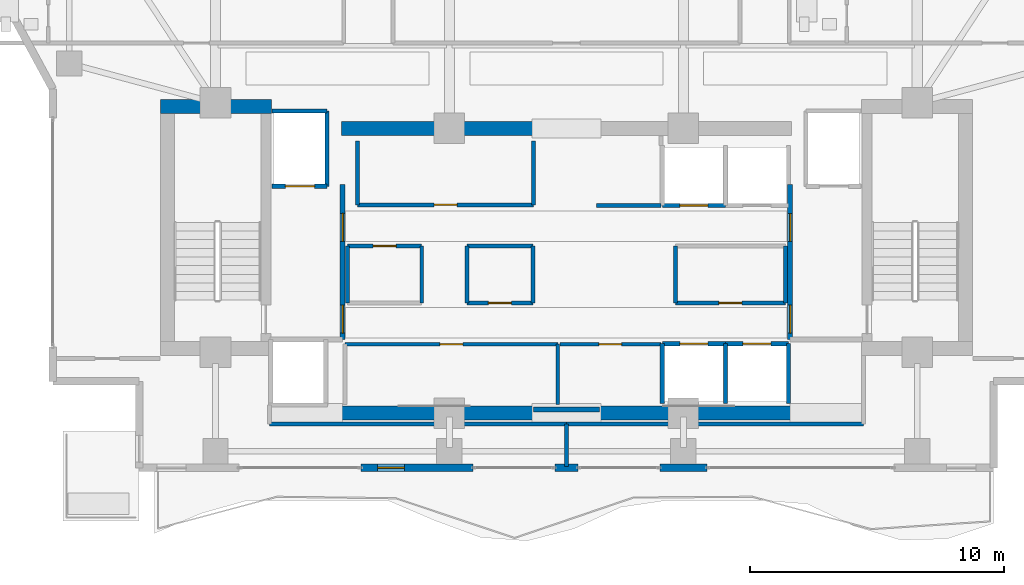
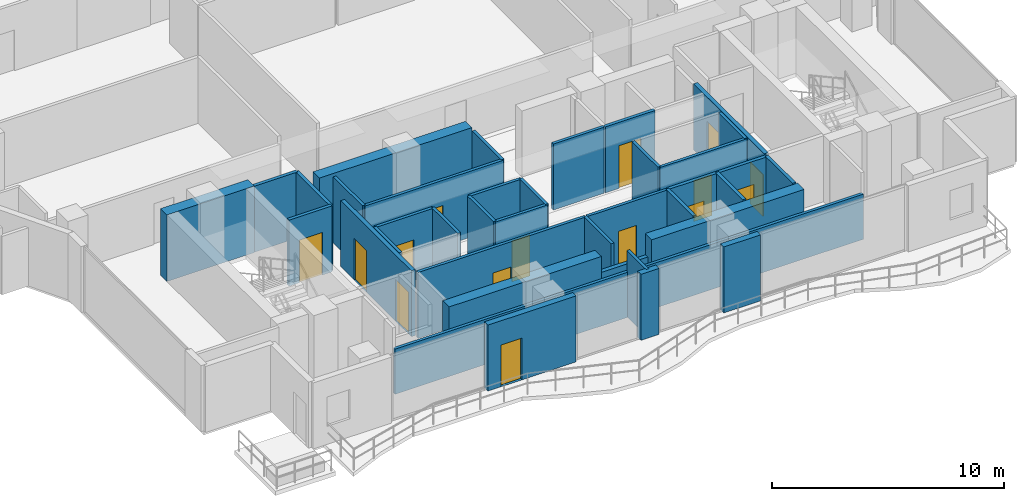
# One storey, part 18 of 25: 39 walls, 15 doors, 15 openings.
"""IFC4 building model written with IfcOpenShell, lengths in metres."""

from ifc_helpers import new_model, si_unit, direction, frame, frame_2d, origin, place, context, subcontext, project, spatial, rectangle, extrude, material, layer, layer_set, type_object, element, fill, save


model = new_model("IFC4")

# Units and contexts
model_context = context("Model", 3, precision=1e-05, world=origin(), true_north=direction((0.0, 1.0)))
body_context = subcontext(model_context, "Body", "Model", "MODEL_VIEW")
ifc_project = project(units=[si_unit("LENGTHUNIT", "METRE"), si_unit("AREAUNIT", "SQUARE_METRE"), si_unit("VOLUMEUNIT", "CUBIC_METRE"), si_unit("PLANEANGLEUNIT", "RADIAN"), si_unit("MASSUNIT", "GRAM", prefix="KILO")], contexts=[model_context])

# Site, building, storey
site_placement = place(None, origin())
site = spatial("IfcSite", under=ifc_project, at=site_placement, CompositionType="ELEMENT")
building_placement = place(site_placement, origin())
building = spatial("IfcBuilding", under=site, at=building_placement, Name="Zuhayl Quay Hotel", CompositionType="ELEMENT")
storey_placement = place(building_placement, frame((0.0, 0.0, 243.35009765625)))
storey = spatial("IfcBuildingStorey", under=building, at=storey_placement, Name="L61", CompositionType="ELEMENT", Elevation=243.35009765625)

# Walls
ifc_material_1 = material(Name="Concrete C50/60", Category="concrete")
ifc_layer_1 = layer(ifc_material_1, 0.550048828125, Name="Concrete C50/60", Category="concrete")
ifc_layer_set_1 = layer_set([ifc_layer_1], Name="Concrete C50/60")
wall_type_1 = type_object("IfcWallType", Name="WL_CORE_550", PredefinedType="SHEAR", material=ifc_layer_set_1)
wall_1_placement = place(storey_placement, frame((-15.9599609375, 14.205078125, 0.0), z_axis=(0.0, 0.0, 1.0), x_axis=(1.0, 0.0, 0.0)))
element("IfcWall", 1, at=wall_1_placement, inside=storey, type_object=wall_type_1, Name="L61 Core Shear Wall CW_NW", PredefinedType="SHEAR", context=body_context, shape_type="SweptSolid", body=[
    extrude(rectangle(XDim=4.35986328125, YDim=0.550048828125, at=frame_2d((2.179931640625, 0.0))), origin(), (0.0, 0.0, 1.0), 3.510009765625),
])
for number, where, z_axis, x_axis, name in (
    (2, (-8.85009765625, 2.14990234375, 0.0), (0.0, 0.0, 1.0), (1.0, 0.0, 0.0), "L61 Core Shear Wall CW_SC_W"),
    (3, (1.25, 2.14990234375, 0.0), (0.0, 0.0, 1.0), (1.0, 0.0, 0.0), "L61 Core Shear Wall CW_SC_E"),
    (4, (-8.85009765625, 13.35009765625, 0.0), (0.0, 0.0, 1.0), (1.0, 0.0, 0.0), "L61 Core Shear Wall CW_NC_W"),
):
    element("IfcWall", number, at=place(storey_placement, frame(where, z_axis=z_axis, x_axis=x_axis)), inside=storey, type_object=wall_type_1, Name=name, PredefinedType="SHEAR", context=body_context, shape_type="SweptSolid", body=[
        extrude(rectangle(XDim=7.60009765625, YDim=0.550048828125, at=frame_2d((3.800048828125, 0.0))), origin(), (0.0, 0.0, 1.0), 3.47998046875),
    ])
ifc_material_2 = material(Name="Precast concrete C45/55", Category="concrete")
ifc_layer_2 = layer(ifc_material_2, 0.300048828125, Name="Precast concrete C45/55", Category="concrete")
ifc_layer_set_2 = layer_set([ifc_layer_2], Name="Precast concrete C45/55")
wall_type_2 = type_object("IfcWallType", Name="WL_EXT_300", PredefinedType="STANDARD", material=ifc_layer_set_2)
wall_2_placement = place(storey_placement, frame((5.52001953125, 0.0, 0.0), z_axis=(0.0, 0.0, 1.0), x_axis=(-1.0, 0.0, 0.0)))
element("IfcWall", 5, at=wall_2_placement, inside=storey, type_object=wall_type_2, Name="L61 Exterior Precast Wall ENV_L61_S_EW2", PredefinedType="STANDARD", context=body_context, shape_type="SweptSolid", body=[
    extrude(rectangle(XDim=1.840087890625, YDim=0.300048828125, at=frame_2d((0.919921875, 0.0))), origin(), (0.0, 0.0, 1.0), 3.47998046875),
])
wall_3_placement = place(storey_placement, frame((0.449951171875, 0.0, 0.0), z_axis=(0.0, 0.0, 1.0), x_axis=(-1.0, 0.0, 0.0)))
element("IfcWall", 6, at=wall_3_placement, inside=storey, type_object=wall_type_2, Name="L61 Exterior Precast Wall ENV_L61_S_EW3", PredefinedType="STANDARD", context=body_context, shape_type="SweptSolid", body=[
    extrude(rectangle(XDim=0.89990234375, YDim=0.300048828125, at=frame_2d((0.449951171875, 0.0))), origin(), (0.0, 0.0, 1.0), 3.47998046875),
])

# Wall, opening, door
wall_4_placement = place(storey_placement, frame((-3.679931640625, 0.0, 0.0), z_axis=(0.0, 0.0, 1.0), x_axis=(-1.0, 0.0, 0.0)))
wall_4 = element("IfcWall", 7, at=wall_4_placement, inside=storey, type_object=wall_type_2, Name="L61 Exterior Precast Wall ENV_L61_S_EW4", PredefinedType="STANDARD", context=body_context, shape_type="SweptSolid", body=[
    extrude(rectangle(XDim=4.39501953125, YDim=0.300048828125, at=frame_2d((2.197509765625, 0.0))), origin(), (0.0, 0.0, 1.0), 3.47998046875),
])
opening_1_placement = place(wall_4_placement, frame((2.695068359375, 0.0, 0.0)))
opening_1 = element("IfcOpeningElement", 8, at=opening_1_placement, cuts=wall_4, Name="Opening DG1", PredefinedType="OPENING", context=body_context, shape_type="SweptSolid", body=[
    extrude(rectangle(XDim=1.050048828125, YDim=2.199951171875, at=frame_2d((0.52490234375, 1.10009765625))), frame((0.0, 0.159912109375, 0.0), z_axis=(0.0, -1.0, 0.0), x_axis=(1.0, 0.0, 0.0)), (0.0, 0.0, 1.0), 0.320068359375),
])
ifc_material_3 = material(Name="Anodised Aluminium and Dark Solar Glass", Category="aluminium")
door_type_1 = type_object("IfcDoorType", Name="DR_EXT_TERR_1050", OperationType="NOTDEFINED", PredefinedType="DOOR", material=ifc_material_3)
door_1_placement = place(opening_1_placement, origin())
door_1 = element("IfcDoor", 9, at=door_1_placement, inside=storey, type_object=door_type_1, Name="L61 South Rippling Balcony Door", OperationType="SINGLE_SWING_RIGHT", OverallHeight=2.199951171875, OverallWidth=1.050048828125, PredefinedType="DOOR", context=body_context, shape_type="SweptSolid", body=[
    extrude(rectangle(XDim=1.050048828125, YDim=2.199951171875, at=frame_2d((0.52490234375, 1.10009765625))), frame((0.0, 0.02490234375, 0.0), z_axis=(0.0, -1.0, 0.0), x_axis=(1.0, 0.0, 0.0)), (0.0, 0.0, 1.0), 0.050048828125),
])
fill(opening_1, door_1)

ifc_material_4 = material(Name="Acoustic Gypsum Partition STC-58")
ifc_layer_3 = layer(ifc_material_4, 0.14990234375, Name="Acoustic Gypsum Partition STC-58")
ifc_layer_set_3 = layer_set([ifc_layer_3], Name="Acoustic Gypsum Partition STC-58")
wall_type_3 = type_object("IfcWallType", Name="WL_PART_150", PredefinedType="PARTITIONING", material=ifc_layer_set_3)
wall_5_placement = place(storey_placement, frame((-8.7099609375, 4.860107421875, 0.0), z_axis=(0.0, 0.0, 1.0), x_axis=(1.0, 0.0, 0.0)))
wall_5 = element("IfcWall", 10, at=wall_5_placement, inside=storey, type_object=wall_type_3, Name="L61 Partition IW_L61_FMP_SW_N", PredefinedType="PARTITIONING", context=body_context, shape_type="SweptSolid", body=[
    extrude(rectangle(XDim=8.369873046875, YDim=0.14990234375, at=frame_2d((4.18505859375, 0.0))), origin(), (0.0, 0.0, 1.0), 3.47998046875),
])
opening_2_placement = place(wall_5_placement, frame((3.735107421875, 0.0, 0.0)))
opening_2 = element("IfcOpeningElement", 11, at=opening_2_placement, cuts=wall_5, Name="Opening D06", PredefinedType="OPENING", context=body_context, shape_type="SweptSolid", body=[
    extrude(rectangle(XDim=0.89990234375, YDim=2.14990234375, at=frame_2d((0.449951171875, 1.074951171875))), frame((0.0, 0.0849609375, 0.0), z_axis=(0.0, -1.0, 0.0), x_axis=(1.0, 0.0, 0.0)), (0.0, 0.0, 1.0), 0.169921875),
])
ifc_material_5 = material(Name="Steel ASTM A992 Grade 50", Category="steel")
door_type_2 = type_object("IfcDoorType", Name="DR_INT_900", OperationType="NOTDEFINED", PredefinedType="DOOR", material=ifc_material_5)
door_2_placement = place(opening_2_placement, origin())
door_2 = element("IfcDoor", 12, at=door_2_placement, inside=storey, type_object=door_type_2, Name="L61 Royal Butler Servery Door", OperationType="SINGLE_SWING_RIGHT", OverallHeight=2.14990234375, OverallWidth=0.89990234375, PredefinedType="DOOR", context=body_context, shape_type="SweptSolid", body=[
    extrude(rectangle(XDim=0.89990234375, YDim=2.14990234375, at=frame_2d((0.449951171875, 1.074951171875))), frame((0.0, 0.02490234375, 0.0), z_axis=(0.0, -1.0, 0.0), x_axis=(1.0, 0.0, 0.0)), (0.0, 0.0, 1.0), 0.050048828125),
])
fill(opening_2, door_2)

wall_6_placement = place(storey_placement, frame((-0.260009765625, 4.860107421875, 0.0), z_axis=(0.0, 0.0, 1.0), x_axis=(1.0, 0.0, 0.0)))
wall_6 = element("IfcWall", 13, at=wall_6_placement, inside=storey, type_object=wall_type_3, Name="L61 Partition IW_L61_FMP_SE_N", PredefinedType="PARTITIONING", context=body_context, shape_type="SweptSolid", body=[
    extrude(rectangle(XDim=3.969970703125, YDim=0.14990234375, at=frame_2d((1.98486328125, 0.0))), origin(), (0.0, 0.0, 1.0), 3.47998046875),
])
opening_3_placement = place(wall_6_placement, frame((1.534912109375, 0.0, 0.0)))
opening_3 = element("IfcOpeningElement", 14, at=opening_3_placement, cuts=wall_6, Name="Opening D06", PredefinedType="OPENING", context=body_context, shape_type="SweptSolid", body=[
    extrude(rectangle(XDim=0.89990234375, YDim=2.14990234375, at=frame_2d((0.449951171875, 1.074951171875))), frame((0.0, 0.0849609375, 0.0), z_axis=(0.0, -1.0, 0.0), x_axis=(1.0, 0.0, 0.0)), (0.0, 0.0, 1.0), 0.169921875),
])
door_3_placement = place(opening_3_placement, origin())
door_3 = element("IfcDoor", 15, at=door_3_placement, inside=storey, type_object=door_type_2, Name="L61 Butler Store East Door", OperationType="SINGLE_SWING_LEFT", OverallHeight=2.14990234375, OverallWidth=0.89990234375, PredefinedType="DOOR", context=body_context, shape_type="SweptSolid", body=[
    extrude(rectangle(XDim=0.89990234375, YDim=2.14990234375, at=frame_2d((0.449951171875, 1.074951171875))), frame((0.0, 0.02490234375, 0.0), z_axis=(0.0, -1.0, 0.0), x_axis=(1.0, 0.0, 0.0)), (0.0, 0.0, 1.0), 0.050048828125),
])
fill(opening_3, door_3)

wall_7_placement = place(storey_placement, frame((-8.2099609375, 10.340087890625, 0.0), z_axis=(0.0, 0.0, 1.0), x_axis=(1.0, 0.0, 0.0)))
wall_7 = element("IfcWall", 16, at=wall_7_placement, inside=storey, type_object=wall_type_3, Name="L61 Partition IW_L61_FMP_NW_S", PredefinedType="PARTITIONING", context=body_context, shape_type="SweptSolid", body=[
    extrude(rectangle(XDim=6.919921875, YDim=0.14990234375, at=frame_2d((3.4599609375, 0.0))), origin(), (0.0, 0.0, 1.0), 3.47998046875),
])
opening_4_placement = place(wall_7_placement, frame((3.010009765625, 0.0, 0.0)))
opening_4 = element("IfcOpeningElement", 17, at=opening_4_placement, cuts=wall_7, Name="Opening D06", PredefinedType="OPENING", context=body_context, shape_type="SweptSolid", body=[
    extrude(rectangle(XDim=0.89990234375, YDim=2.14990234375, at=frame_2d((0.449951171875, 1.074951171875))), frame((0.0, 0.0849609375, 0.0), z_axis=(0.0, -1.0, 0.0), x_axis=(1.0, 0.0, 0.0)), (0.0, 0.0, 1.0), 0.169921875),
])
door_4_placement = place(opening_4_placement, origin())
door_4 = element("IfcDoor", 18, at=door_4_placement, inside=storey, type_object=door_type_2, Name="L61 Valet Locker Store Door", OperationType="SINGLE_SWING_RIGHT", OverallHeight=2.14990234375, OverallWidth=0.89990234375, PredefinedType="DOOR", context=body_context, shape_type="SweptSolid", body=[
    extrude(rectangle(XDim=0.89990234375, YDim=2.14990234375, at=frame_2d((0.449951171875, 1.074951171875))), frame((0.0, 0.02490234375, 0.0), z_axis=(0.0, -1.0, 0.0), x_axis=(1.0, 0.0, 0.0)), (0.0, 0.0, 1.0), 0.050048828125),
])
fill(opening_4, door_4)

wall_8_placement = place(storey_placement, frame((-8.610107421875, 8.719970703125, 0.0), z_axis=(0.0, 0.0, 1.0), x_axis=(1.0, 0.0, 0.0)))
wall_8 = element("IfcWall", 19, at=wall_8_placement, inside=storey, type_object=wall_type_3, Name="L61 Partition IW_L61_CORE_HK_N", PredefinedType="PARTITIONING", context=body_context, shape_type="SweptSolid", body=[
    extrude(rectangle(XDim=2.920166015625, YDim=0.14990234375, at=frame_2d((1.4599609375, 0.0))), origin(), (0.0, 0.0, 1.0), 3.47998046875),
])
opening_5_placement = place(wall_8_placement, frame((1.010009765625, 0.0, 0.0)))
opening_5 = element("IfcOpeningElement", 20, at=opening_5_placement, cuts=wall_8, Name="Opening D06", PredefinedType="OPENING", context=body_context, shape_type="SweptSolid", body=[
    extrude(rectangle(XDim=0.89990234375, YDim=2.14990234375, at=frame_2d((0.449951171875, 1.074951171875))), frame((0.0, 0.0849609375, 0.0), z_axis=(0.0, -1.0, 0.0), x_axis=(1.0, 0.0, 0.0)), (0.0, 0.0, 1.0), 0.169921875),
])
door_5_placement = place(opening_5_placement, origin())
door_5 = element("IfcDoor", 21, at=door_5_placement, inside=storey, type_object=door_type_2, Name="L61 Core Housekeeping Store Door", OperationType="SINGLE_SWING_LEFT", OverallHeight=2.14990234375, OverallWidth=0.89990234375, PredefinedType="DOOR", context=body_context, shape_type="SweptSolid", body=[
    extrude(rectangle(XDim=0.89990234375, YDim=2.14990234375, at=frame_2d((0.449951171875, 1.074951171875))), frame((0.0, 0.02490234375, 0.0), z_axis=(0.0, -1.0, 0.0), x_axis=(1.0, 0.0, 0.0)), (0.0, 0.0, 1.0), 0.050048828125),
])
fill(opening_5, door_5)

wall_9_placement = place(storey_placement, frame((-3.909912109375, 6.47998046875, 0.0), z_axis=(0.0, 0.0, 1.0), x_axis=(1.0, 0.0, 0.0)))
wall_9 = element("IfcWall", 22, at=wall_9_placement, inside=storey, type_object=wall_type_3, Name="L61 Partition IW_L61_CORE_BC_S", PredefinedType="PARTITIONING", context=body_context, shape_type="SweptSolid", body=[
    extrude(rectangle(XDim=2.58984375, YDim=0.14990234375, at=frame_2d((1.294921875, 0.0))), origin(), (0.0, 0.0, 1.0), 3.47998046875),
])
opening_6_placement = place(wall_9_placement, frame((0.844970703125, 0.0, 0.0)))
opening_6 = element("IfcOpeningElement", 23, at=opening_6_placement, cuts=wall_9, Name="Opening D06", PredefinedType="OPENING", context=body_context, shape_type="SweptSolid", body=[
    extrude(rectangle(XDim=0.89990234375, YDim=2.14990234375, at=frame_2d((0.449951171875, 1.074951171875))), frame((0.0, 0.0849609375, 0.0), z_axis=(0.0, -1.0, 0.0), x_axis=(1.0, 0.0, 0.0)), (0.0, 0.0, 1.0), 0.169921875),
])
door_6_placement = place(opening_6_placement, origin())
door_6 = element("IfcDoor", 24, at=door_6_placement, inside=storey, type_object=door_type_2, Name="L61 BMS Control Closet Door", OperationType="SINGLE_SWING_RIGHT", OverallHeight=2.14990234375, OverallWidth=0.89990234375, PredefinedType="DOOR", context=body_context, shape_type="SweptSolid", body=[
    extrude(rectangle(XDim=0.89990234375, YDim=2.14990234375, at=frame_2d((0.449951171875, 1.074951171875))), frame((0.0, 0.02490234375, 0.0), z_axis=(0.0, -1.0, 0.0), x_axis=(1.0, 0.0, 0.0)), (0.0, 0.0, 1.0), 0.050048828125),
])
fill(opening_6, door_6)

wall_10_placement = place(storey_placement, frame((4.2900390625, 6.47998046875, 0.0), z_axis=(0.0, 0.0, 1.0), x_axis=(1.0, 0.0, 0.0)))
wall_10 = element("IfcWall", 25, at=wall_10_placement, inside=storey, type_object=wall_type_3, Name="L61 Partition IW_L61_CORE_VL_S", PredefinedType="PARTITIONING", context=body_context, shape_type="SweptSolid", body=[
    extrude(rectangle(XDim=4.320068359375, YDim=0.14990234375, at=frame_2d((2.16015625, 0.0))), origin(), (0.0, 0.0, 1.0), 3.47998046875),
])
opening_7_placement = place(wall_10_placement, frame((1.7099609375, 0.0, 0.0)))
opening_7 = element("IfcOpeningElement", 26, at=opening_7_placement, cuts=wall_10, Name="Opening D06", PredefinedType="OPENING", context=body_context, shape_type="SweptSolid", body=[
    extrude(rectangle(XDim=0.89990234375, YDim=2.14990234375, at=frame_2d((0.449951171875, 1.074951171875))), frame((0.0, 0.0849609375, 0.0), z_axis=(0.0, -1.0, 0.0), x_axis=(1.0, 0.0, 0.0)), (0.0, 0.0, 1.0), 0.169921875),
])
door_7_placement = place(opening_7_placement, origin())
door_7 = element("IfcDoor", 27, at=door_7_placement, inside=storey, type_object=door_type_2, Name="L61 Floor Valet Store Door", OperationType="SINGLE_SWING_LEFT", OverallHeight=2.14990234375, OverallWidth=0.89990234375, PredefinedType="DOOR", context=body_context, shape_type="SweptSolid", body=[
    extrude(rectangle(XDim=0.89990234375, YDim=2.14990234375, at=frame_2d((0.449951171875, 1.074951171875))), frame((0.0, 0.02490234375, 0.0), z_axis=(0.0, -1.0, 0.0), x_axis=(1.0, 0.0, 0.0)), (0.0, 0.0, 1.0), 0.050048828125),
])
fill(opening_7, door_7)

# Walls
wall_11_placement = place(storey_placement, frame((-0.340087890625, 2.489990234375, 0.0), z_axis=(0.0, 0.0, 1.0), x_axis=(0.0, 1.0, 0.0)))
element("IfcWall", 28, at=wall_11_placement, inside=storey, type_object=wall_type_3, Name="L61 Partition IW_L61_FMP_SW_E", PredefinedType="PARTITIONING", context=body_context, shape_type="SweptSolid", body=[
    extrude(rectangle(XDim=2.3701171875, YDim=0.14990234375, at=frame_2d((1.18505859375, 0.0))), origin(), (0.0, 0.0, 1.0), 3.47998046875),
])
for number, where, z_axis, x_axis, name in (
    (29, (-8.2099609375, 10.340087890625, 0.0), (0.0, 0.0, 1.0), (0.0, 1.0, 0.0), "L61 Partition IW_L61_FMP_NW_W"),
    (30, (-1.2900390625, 10.340087890625, 0.0), (0.0, 0.0, 1.0), (0.0, 1.0, 0.0), "L61 Partition IW_L61_FMP_NW_E"),
):
    element("IfcWall", number, at=place(storey_placement, frame(where, z_axis=z_axis, x_axis=x_axis)), inside=storey, type_object=wall_type_3, Name=name, PredefinedType="PARTITIONING", context=body_context, shape_type="SweptSolid", body=[
        extrude(rectangle(XDim=2.52001953125, YDim=0.14990234375, at=frame_2d((1.260009765625, 0.0))), origin(), (0.0, 0.0, 1.0), 3.47998046875),
    ])
for number, where, z_axis, x_axis, name in (
    (31, (-8.610107421875, 6.47998046875, 0.0), (0.0, 0.0, 1.0), (0.0, 1.0, 0.0), "L61 Partition IW_L61_CORE_HK_W"),
    (32, (-5.68994140625, 6.47998046875, 0.0), (0.0, 0.0, 1.0), (0.0, 1.0, 0.0), "L61 Partition IW_L61_CORE_HK_E"),
):
    element("IfcWall", number, at=place(storey_placement, frame(where, z_axis=z_axis, x_axis=x_axis)), inside=storey, type_object=wall_type_3, Name=name, PredefinedType="PARTITIONING", context=body_context, shape_type="SweptSolid", body=[
        extrude(rectangle(XDim=2.239990234375, YDim=0.14990234375, at=frame_2d((1.1201171875, 0.0))), origin(), (0.0, 0.0, 1.0), 3.47998046875),
    ])
wall_12_placement = place(storey_placement, frame((-3.909912109375, 8.719970703125, 0.0), z_axis=(0.0, 0.0, 1.0), x_axis=(1.0, 0.0, 0.0)))
element("IfcWall", 33, at=wall_12_placement, inside=storey, type_object=wall_type_3, Name="L61 Partition IW_L61_CORE_BC_N", PredefinedType="PARTITIONING", context=body_context, shape_type="SweptSolid", body=[
    extrude(rectangle(XDim=2.58984375, YDim=0.14990234375, at=frame_2d((1.294921875, 0.0))), origin(), (0.0, 0.0, 1.0), 3.47998046875),
])
for number, where, z_axis, x_axis, name in (
    (34, (-3.909912109375, 6.47998046875, 0.0), (0.0, 0.0, 1.0), (0.0, 1.0, 0.0), "L61 Partition IW_L61_CORE_BC_W"),
    (35, (-1.320068359375, 6.47998046875, 0.0), (0.0, 0.0, 1.0), (0.0, 1.0, 0.0), "L61 Partition IW_L61_CORE_BC_E"),
    (36, (4.2900390625, 6.47998046875, 0.0), (0.0, 0.0, 1.0), (0.0, 1.0, 0.0), "L61 Partition IW_L61_CORE_VL_W"),
    (37, (8.610107421875, 6.47998046875, 0.0), (0.0, 0.0, 1.0), (0.0, 1.0, 0.0), "L61 Partition IW_L61_CORE_VL_E"),
):
    element("IfcWall", number, at=place(storey_placement, frame(where, z_axis=z_axis, x_axis=x_axis)), inside=storey, type_object=wall_type_3, Name=name, PredefinedType="PARTITIONING", context=body_context, shape_type="SweptSolid", body=[
        extrude(rectangle(XDim=2.239990234375, YDim=0.14990234375, at=frame_2d((1.1201171875, 0.0))), origin(), (0.0, 0.0, 1.0), 3.47998046875),
    ])
wall_13_placement = place(storey_placement, frame((1.179931640625, 10.320068359375, 0.0), z_axis=(0.0, 0.0, 1.0), x_axis=(1.0, 0.0, 0.0)))
element("IfcWall", 38, at=wall_13_placement, inside=storey, type_object=wall_type_3, Name="L61 Partition IW_L61_VEST_MP4_S", PredefinedType="PARTITIONING", context=body_context, shape_type="SweptSolid", body=[
    extrude(rectangle(XDim=2.5400390625, YDim=0.14990234375, at=frame_2d((1.27001953125, 0.0))), origin(), (0.0, 0.0, 1.0), 3.47998046875),
])
for number, where, z_axis, x_axis, name in (
    (39, (-11.679931640625, 1.719970703125, 0.0), (0.0, 0.0, 1.0), (1.0, 0.0, 0.0), "L61 Partition IW_L61_Z4_SUN_SW_SN"),
    (40, (0.0, 1.719970703125, 0.0), (0.0, 0.0, 1.0), (1.0, 0.0, 0.0), "L61 Partition IW_L61_Z4_SUN_SE_SN"),
):
    element("IfcWall", number, at=place(storey_placement, frame(where, z_axis=z_axis, x_axis=x_axis)), inside=storey, type_object=wall_type_3, Name=name, PredefinedType="PARTITIONING", context=body_context, shape_type="SweptSolid", body=[
        extrude(rectangle(XDim=11.679931640625, YDim=0.14990234375, at=frame_2d((5.83984375, 0.0))), origin(), (0.0, 0.0, 1.0), 2.3798828125),
    ])
wall_14_placement = place(storey_placement, frame((0.0, 0.06005859375, 0.0), z_axis=(0.0, 0.0, 1.0), x_axis=(0.0, 1.0, 0.0)))
element("IfcWall", 41, at=wall_14_placement, inside=storey, type_object=wall_type_3, Name="L61 Partition IW_L61_Z4_SUN_MID", PredefinedType="PARTITIONING", context=body_context, shape_type="SweptSolid", body=[
    extrude(rectangle(XDim=1.659912109375, YDim=0.14990234375, at=frame_2d((0.830078125, 0.0))), origin(), (0.0, 0.0, 1.0), 3.47998046875),
])

# Wall, opening, door
ifc_material_6 = material(Name="Gypsum Fireboard Assembly EI-90")
ifc_layer_4 = layer(ifc_material_6, 0.1650390625, Name="Gypsum Fireboard Assembly EI-90")
ifc_layer_set_4 = layer_set([ifc_layer_4], Name="Gypsum Fireboard Assembly EI-90")
wall_type_4 = type_object("IfcWallType", Name="WL_PART_SHAFT_160", PredefinedType="PARTITIONING", material=ifc_layer_set_4)
wall_15_placement = place(storey_placement, frame((-11.580078125, 11.070068359375, 0.0), z_axis=(0.0, 0.0, 1.0), x_axis=(1.0, 0.0, 0.0)))
wall_15 = element("IfcWall", 42, at=wall_15_placement, inside=storey, type_object=wall_type_4, Name="L61 Partition IW_L61_SH_FL1_F", PredefinedType="PARTITIONING", context=body_context, shape_type="SweptSolid", body=[
    extrude(rectangle(XDim=2.16015625, YDim=0.1650390625, at=frame_2d((1.080078125, 0.0))), origin(), (0.0, 0.0, 1.0), 3.47998046875),
])
opening_8_placement = place(wall_15_placement, frame((0.530029296875, 0.0, 0.0)))
opening_8 = element("IfcOpeningElement", 43, at=opening_8_placement, cuts=wall_15, Name="Opening LD2", PredefinedType="OPENING", context=body_context, shape_type="SweptSolid", body=[
    extrude(rectangle(XDim=1.14990234375, YDim=2.25, at=frame_2d((0.574951171875, 1.125))), frame((0.0, 0.092529296875, 0.0), z_axis=(0.0, -1.0, 0.0), x_axis=(1.0, 0.0, 0.0)), (0.0, 0.0, 1.0), 0.18505859375),
])
ifc_material_7 = material(Name="Brushed Stainless Steel", Category="steel")
door_type_3 = type_object("IfcDoorType", Name="DR_LIFT_FF_1100", OperationType="SLIDING_TO_LEFT", PredefinedType="DOOR", material=ifc_material_7)
door_8_placement = place(opening_8_placement, origin())
door_8 = element("IfcDoor", 44, at=door_8_placement, inside=storey, type_object=door_type_3, Name="L61 Lift FL1 Sliding Landing Door", OperationType="SLIDING_TO_LEFT", OverallHeight=2.25, OverallWidth=1.14990234375, PredefinedType="DOOR", context=body_context, shape_type="SweptSolid", body=[
    extrude(rectangle(XDim=1.14990234375, YDim=2.25, at=frame_2d((0.574951171875, 1.125))), frame((0.0, 0.02490234375, 0.0), z_axis=(0.0, -1.0, 0.0), x_axis=(1.0, 0.0, 0.0)), (0.0, 0.0, 1.0), 0.050048828125),
])
fill(opening_8, door_8)

wall_16_placement = place(storey_placement, frame((3.77001953125, 4.8798828125, 0.0), z_axis=(0.0, 0.0, 1.0), x_axis=(1.0, 0.0, 0.0)))
wall_16 = element("IfcWall", 45, at=wall_16_placement, inside=storey, type_object=wall_type_4, Name="L61 Partition IW_L61_SH_HP1_F", PredefinedType="PARTITIONING", context=body_context, shape_type="SweptSolid", body=[
    extrude(rectangle(XDim=2.47998046875, YDim=0.1650390625, at=frame_2d((1.239990234375, 0.0))), origin(), (0.0, 0.0, 1.0), 3.47998046875),
])
opening_9_placement = place(wall_16_placement, frame((0.68994140625, 0.0, 0.0)))
opening_9 = element("IfcOpeningElement", 46, at=opening_9_placement, cuts=wall_16, Name="Opening LD1", PredefinedType="OPENING", context=body_context, shape_type="SweptSolid", body=[
    extrude(rectangle(XDim=1.10009765625, YDim=2.25, at=frame_2d((0.550048828125, 1.125))), frame((0.0, 0.092529296875, 0.0), z_axis=(0.0, -1.0, 0.0), x_axis=(1.0, 0.0, 0.0)), (0.0, 0.0, 1.0), 0.18505859375),
])
door_type_4 = type_object("IfcDoorType", Name="DR_LIFT_PASS_1100", OperationType="SLIDING_TO_LEFT", PredefinedType="DOOR", material=ifc_material_7)
door_9_placement = place(opening_9_placement, origin())
door_9 = element("IfcDoor", 47, at=door_9_placement, inside=storey, type_object=door_type_4, Name="L61 Lift HP1 Sliding Landing Door", OperationType="SLIDING_TO_LEFT", OverallHeight=2.25, OverallWidth=1.10009765625, PredefinedType="DOOR", context=body_context, shape_type="SweptSolid", body=[
    extrude(rectangle(XDim=1.10009765625, YDim=2.25, at=frame_2d((0.550048828125, 1.125))), frame((0.0, 0.02490234375, 0.0), z_axis=(0.0, -1.0, 0.0), x_axis=(1.0, 0.0, 0.0)), (0.0, 0.0, 1.0), 0.050048828125),
])
fill(opening_9, door_9)

wall_17_placement = place(storey_placement, frame((6.25, 4.8798828125, 0.0), z_axis=(0.0, 0.0, 1.0), x_axis=(1.0, 0.0, 0.0)))
wall_17 = element("IfcWall", 48, at=wall_17_placement, inside=storey, type_object=wall_type_4, Name="L61 Partition IW_L61_SH_HP2_F", PredefinedType="PARTITIONING", context=body_context, shape_type="SweptSolid", body=[
    extrude(rectangle(XDim=2.47998046875, YDim=0.1650390625, at=frame_2d((1.239990234375, 0.0))), origin(), (0.0, 0.0, 1.0), 3.47998046875),
])
opening_10_placement = place(wall_17_placement, frame((0.68994140625, 0.0, 0.0)))
opening_10 = element("IfcOpeningElement", 49, at=opening_10_placement, cuts=wall_17, Name="Opening LD1", PredefinedType="OPENING", context=body_context, shape_type="SweptSolid", body=[
    extrude(rectangle(XDim=1.10009765625, YDim=2.25, at=frame_2d((0.550048828125, 1.125))), frame((0.0, 0.092529296875, 0.0), z_axis=(0.0, -1.0, 0.0), x_axis=(1.0, 0.0, 0.0)), (0.0, 0.0, 1.0), 0.18505859375),
])
door_10_placement = place(opening_10_placement, origin())
door_10 = element("IfcDoor", 50, at=door_10_placement, inside=storey, type_object=door_type_4, Name="L61 Lift HP2 Sliding Landing Door", OperationType="SLIDING_TO_LEFT", OverallHeight=2.25, OverallWidth=1.10009765625, PredefinedType="DOOR", context=body_context, shape_type="SweptSolid", body=[
    extrude(rectangle(XDim=1.10009765625, YDim=2.25, at=frame_2d((0.550048828125, 1.125))), frame((0.0, 0.02490234375, 0.0), z_axis=(0.0, -1.0, 0.0), x_axis=(1.0, 0.0, 0.0)), (0.0, 0.0, 1.0), 0.050048828125),
])
fill(opening_10, door_10)

wall_18_placement = place(storey_placement, frame((3.77001953125, 10.320068359375, 0.0), z_axis=(0.0, 0.0, 1.0), x_axis=(1.0, 0.0, 0.0)))
wall_18 = element("IfcWall", 51, at=wall_18_placement, inside=storey, type_object=wall_type_4, Name="L61 Partition IW_L61_SH_HP3_F", PredefinedType="PARTITIONING", context=body_context, shape_type="SweptSolid", body=[
    extrude(rectangle(XDim=2.47998046875, YDim=0.1650390625, at=frame_2d((1.239990234375, 0.0))), origin(), (0.0, 0.0, 1.0), 3.47998046875),
])
opening_11_placement = place(wall_18_placement, frame((0.68994140625, 0.0, 0.0)))
opening_11 = element("IfcOpeningElement", 52, at=opening_11_placement, cuts=wall_18, Name="Opening LD1", PredefinedType="OPENING", context=body_context, shape_type="SweptSolid", body=[
    extrude(rectangle(XDim=1.10009765625, YDim=2.25, at=frame_2d((0.550048828125, 1.125))), frame((0.0, 0.092529296875, 0.0), z_axis=(0.0, -1.0, 0.0), x_axis=(1.0, 0.0, 0.0)), (0.0, 0.0, 1.0), 0.18505859375),
])
door_11_placement = place(opening_11_placement, origin())
door_11 = element("IfcDoor", 53, at=door_11_placement, inside=storey, type_object=door_type_4, Name="L61 Lift HP3 Sliding Landing Door", OperationType="SLIDING_TO_LEFT", OverallHeight=2.25, OverallWidth=1.10009765625, PredefinedType="DOOR", context=body_context, shape_type="SweptSolid", body=[
    extrude(rectangle(XDim=1.10009765625, YDim=2.25, at=frame_2d((0.550048828125, 1.125))), frame((0.0, 0.02490234375, 0.0), z_axis=(0.0, -1.0, 0.0), x_axis=(1.0, 0.0, 0.0)), (0.0, 0.0, 1.0), 0.050048828125),
])
fill(opening_11, door_11)

# Walls
wall_19_placement = place(storey_placement, frame((-9.419921875, 11.070068359375, 0.0), z_axis=(0.0, 0.0, 1.0), x_axis=(0.0, 1.0, 0.0)))
element("IfcWall", 54, at=wall_19_placement, inside=storey, type_object=wall_type_4, Name="L61 Partition IW_L61_SH_FL1_E", PredefinedType="PARTITIONING", context=body_context, shape_type="SweptSolid", body=[
    extrude(rectangle(XDim=2.9599609375, YDim=0.1650390625, at=frame_2d((1.47998046875, 0.0))), origin(), (0.0, 0.0, 1.0), 3.47998046875),
])
wall_20_placement = place(storey_placement, frame((-11.580078125, 14.030029296875, 0.0), z_axis=(0.0, 0.0, 1.0), x_axis=(1.0, 0.0, 0.0)))
element("IfcWall", 55, at=wall_20_placement, inside=storey, type_object=wall_type_4, Name="L61 Partition IW_L61_SH_FL1_B", PredefinedType="PARTITIONING", context=body_context, shape_type="SweptSolid", body=[
    extrude(rectangle(XDim=2.16015625, YDim=0.1650390625, at=frame_2d((1.080078125, 0.0))), origin(), (0.0, 0.0, 1.0), 3.47998046875),
])
for number, where, z_axis, x_axis, name in (
    (56, (3.77001953125, 2.52001953125, 0.0), (0.0, 0.0, 1.0), (0.0, 1.0, 0.0), "L61 Partition IW_L61_SH_HP1_W"),
    (57, (6.25, 2.52001953125, 0.0), (0.0, 0.0, 1.0), (0.0, 1.0, 0.0), "L61 Partition IW_L61_SH_HP1_E"),
    (58, (8.72998046875, 2.52001953125, 0.0), (0.0, 0.0, 1.0), (0.0, 1.0, 0.0), "L61 Partition IW_L61_SH_HP2_E"),
):
    element("IfcWall", number, at=place(storey_placement, frame(where, z_axis=z_axis, x_axis=x_axis)), inside=storey, type_object=wall_type_4, Name=name, PredefinedType="PARTITIONING", context=body_context, shape_type="SweptSolid", body=[
        extrude(rectangle(XDim=2.35986328125, YDim=0.1650390625, at=frame_2d((1.179931640625, 0.0))), origin(), (0.0, 0.0, 1.0), 3.47998046875),
    ])

# Wall, openings, doors
ifc_material_8 = material(Name="Gypsum Fireboard Assembly EI-120")
ifc_layer_5 = layer(ifc_material_8, 0.199951171875, Name="Gypsum Fireboard Assembly EI-120")
ifc_layer_set_5 = layer_set([ifc_layer_5], Name="Gypsum Fireboard Assembly EI-120")
wall_type_5 = type_object("IfcWallType", Name="WL_PART_SHAFT_200", PredefinedType="PARTITIONING", material=ifc_layer_set_5)
wall_21_placement = place(storey_placement, frame((-8.800048828125, 5.050048828125, 0.0), z_axis=(0.0, 0.0, 1.0), x_axis=(0.0, 1.0, 0.0)))
wall_21 = element("IfcWall", 59, at=wall_21_placement, inside=storey, type_object=wall_type_5, Name="L61 Partition IW_L61_FSAE_W_E", PredefinedType="PARTITIONING", context=body_context, shape_type="SweptSolid", body=[
    extrude(rectangle(XDim=6.099853515625, YDim=0.199951171875, at=frame_2d((3.0498046875, 0.0))), origin(), (0.0, 0.0, 1.0), 3.47998046875),
])
opening_12_placement = place(wall_21_placement, frame((0.25, 0.0, 0.0)))
opening_12 = element("IfcOpeningElement", 60, at=opening_12_placement, cuts=wall_21, Name="Opening D02", PredefinedType="OPENING", context=body_context, shape_type="SweptSolid", body=[
    extrude(rectangle(XDim=1.10009765625, YDim=2.199951171875, at=frame_2d((0.550048828125, 1.10009765625))), frame((0.0, 0.10986328125, 0.0), z_axis=(0.0, -1.0, 0.0), x_axis=(1.0, 0.0, 0.0)), (0.0, 0.0, 1.0), 0.219970703125),
])
opening_13_placement = place(wall_21_placement, frame((3.85009765625, 0.0, 0.0)))
opening_13 = element("IfcOpeningElement", 61, at=opening_13_placement, cuts=wall_21, Name="Opening D02", PredefinedType="OPENING", context=body_context, shape_type="SweptSolid", body=[
    extrude(rectangle(XDim=1.10009765625, YDim=2.199951171875, at=frame_2d((0.550048828125, 1.10009765625))), frame((0.0, 0.10986328125, 0.0), z_axis=(0.0, -1.0, 0.0), x_axis=(1.0, 0.0, 0.0)), (0.0, 0.0, 1.0), 0.219970703125),
])
door_type_5 = type_object("IfcDoorType", Name="DR_FIRE_90_1100", OperationType="NOTDEFINED", PredefinedType="DOOR", material=ifc_material_5)
door_12_placement = place(opening_12_placement, origin())
door_12 = element("IfcDoor", 62, at=door_12_placement, inside=storey, type_object=door_type_5, Name="L61 FSAE Lobby West South Entry Door", OperationType="SINGLE_SWING_RIGHT", OverallHeight=2.199951171875, OverallWidth=1.10009765625, PredefinedType="DOOR", context=body_context, shape_type="SweptSolid", body=[
    extrude(rectangle(XDim=1.10009765625, YDim=2.199951171875, at=frame_2d((0.550048828125, 1.10009765625))), frame((0.0, 0.02490234375, 0.0), z_axis=(0.0, -1.0, 0.0), x_axis=(1.0, 0.0, 0.0)), (0.0, 0.0, 1.0), 0.050048828125),
])
fill(opening_12, door_12)
door_13_placement = place(opening_13_placement, origin())
door_13 = element("IfcDoor", 63, at=door_13_placement, inside=storey, type_object=door_type_5, Name="L61 FSAE Lobby West North Entry Door", OperationType="SINGLE_SWING_LEFT", OverallHeight=2.199951171875, OverallWidth=1.10009765625, PredefinedType="DOOR", context=body_context, shape_type="SweptSolid", body=[
    extrude(rectangle(XDim=1.10009765625, YDim=2.199951171875, at=frame_2d((0.550048828125, 1.10009765625))), frame((0.0, 0.02490234375, 0.0), z_axis=(0.0, -1.0, 0.0), x_axis=(1.0, 0.0, 0.0)), (0.0, 0.0, 1.0), 0.050048828125),
])
fill(opening_13, door_13)

wall_22_placement = place(storey_placement, frame((8.800048828125, 11.14990234375, 0.0), z_axis=(0.0, 0.0, 1.0), x_axis=(0.0, -1.0, 0.0)))
wall_22 = element("IfcWall", 64, at=wall_22_placement, inside=storey, type_object=wall_type_5, Name="L61 Partition IW_L61_FSAE_E_W", PredefinedType="PARTITIONING", context=body_context, shape_type="SweptSolid", body=[
    extrude(rectangle(XDim=6.099853515625, YDim=0.199951171875, at=frame_2d((3.0498046875, 0.0))), origin(), (0.0, 0.0, 1.0), 3.47998046875),
])
opening_14_placement = place(wall_22_placement, frame((1.14990234375, 0.0, 0.0)))
opening_14 = element("IfcOpeningElement", 65, at=opening_14_placement, cuts=wall_22, Name="Opening D02", PredefinedType="OPENING", context=body_context, shape_type="SweptSolid", body=[
    extrude(rectangle(XDim=1.10009765625, YDim=2.199951171875, at=frame_2d((0.550048828125, 1.10009765625))), frame((0.0, 0.10986328125, 0.0), z_axis=(0.0, -1.0, 0.0), x_axis=(1.0, 0.0, 0.0)), (0.0, 0.0, 1.0), 0.219970703125),
])
opening_15_placement = place(wall_22_placement, frame((4.75, 0.0, 0.0)))
opening_15 = element("IfcOpeningElement", 66, at=opening_15_placement, cuts=wall_22, Name="Opening D02", PredefinedType="OPENING", context=body_context, shape_type="SweptSolid", body=[
    extrude(rectangle(XDim=1.10009765625, YDim=2.199951171875, at=frame_2d((0.550048828125, 1.10009765625))), frame((0.0, 0.10986328125, 0.0), z_axis=(0.0, -1.0, 0.0), x_axis=(1.0, 0.0, 0.0)), (0.0, 0.0, 1.0), 0.219970703125),
])
door_14_placement = place(opening_14_placement, origin())
door_14 = element("IfcDoor", 67, at=door_14_placement, inside=storey, type_object=door_type_5, Name="L61 FSAE Lobby East North Entry Door", OperationType="SINGLE_SWING_RIGHT", OverallHeight=2.199951171875, OverallWidth=1.10009765625, PredefinedType="DOOR", context=body_context, shape_type="SweptSolid", body=[
    extrude(rectangle(XDim=1.10009765625, YDim=2.199951171875, at=frame_2d((0.550048828125, 1.10009765625))), frame((0.0, 0.02490234375, 0.0), z_axis=(0.0, -1.0, 0.0), x_axis=(1.0, 0.0, 0.0)), (0.0, 0.0, 1.0), 0.050048828125),
])
fill(opening_14, door_14)
door_15_placement = place(opening_15_placement, origin())
door_15 = element("IfcDoor", 68, at=door_15_placement, inside=storey, type_object=door_type_5, Name="L61 FSAE Lobby East South Entry Door", OperationType="SINGLE_SWING_LEFT", OverallHeight=2.199951171875, OverallWidth=1.10009765625, PredefinedType="DOOR", context=body_context, shape_type="SweptSolid", body=[
    extrude(rectangle(XDim=1.10009765625, YDim=2.199951171875, at=frame_2d((0.550048828125, 1.10009765625))), frame((0.0, 0.02490234375, 0.0), z_axis=(0.0, -1.0, 0.0), x_axis=(1.0, 0.0, 0.0)), (0.0, 0.0, 1.0), 0.050048828125),
])
fill(opening_15, door_15)

# Wall
wall_23_placement = place(storey_placement, frame((-1.300048828125, 2.300048828125, 0.0), z_axis=(0.0, 0.0, 1.0), x_axis=(1.0, 0.0, 0.0)))
element("IfcWall", 69, at=wall_23_placement, inside=storey, type_object=wall_type_5, Name="L61 Partition IW_L61_CORE_SCM", PredefinedType="PARTITIONING", context=body_context, shape_type="SweptSolid", body=[
    extrude(rectangle(XDim=2.60009765625, YDim=0.199951171875, at=frame_2d((1.300048828125, 0.0))), origin(), (0.0, 0.0, 1.0), 2.3798828125),
])

save(model, "model.ifc")
